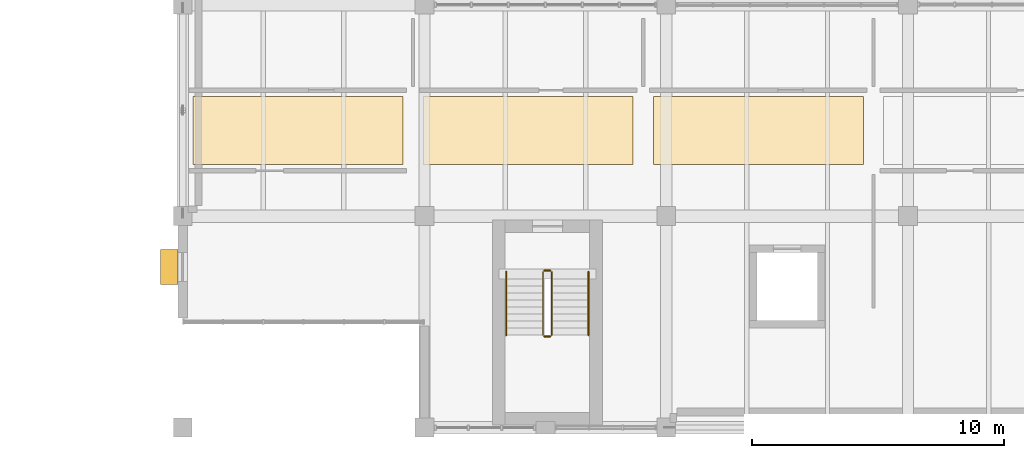
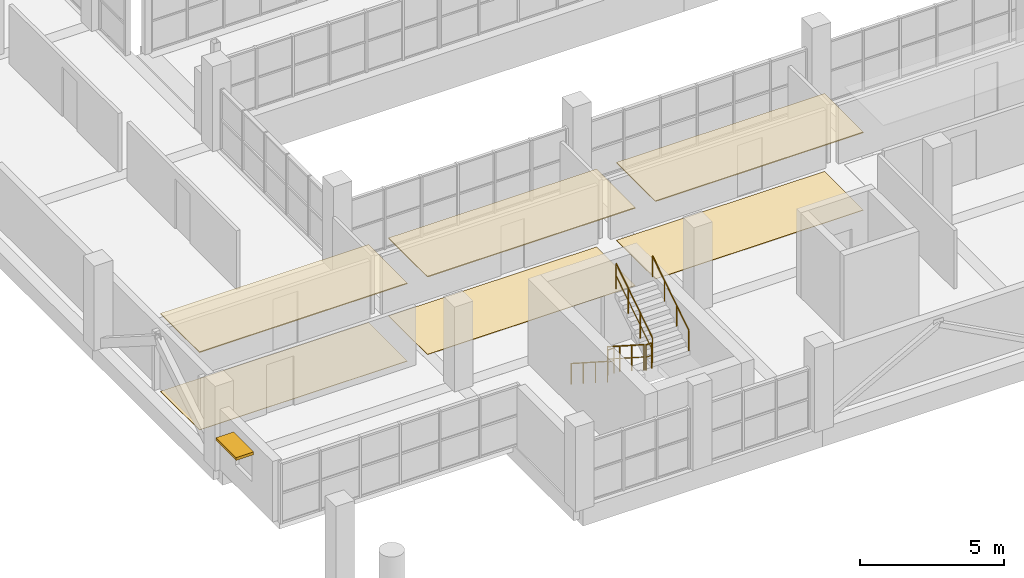
# One storey, part 141 of 147: 6 coverings, 6 railings, 1 shading device.
"""IFC4 building model written with IfcOpenShell, lengths in metres."""

import ifcopenshell
import ifcopenshell.guid

model = None  # the IFC model being written
_history = None  # IfcOwnerHistory: only IFC2X3 demands one
_inside = {}  # id of a spatial element -> (the spatial element, [elements in it])
_under = {}  # id of a project, library or spatial element -> (it, [spatial elements below it])
_declared = {}  # id of a project -> (the project, [libraries it declares])
_typed = {}  # id of a type object -> (the type object, [elements of that type])
_made_of = {}  # id of a material, layer set ... -> (it, [elements and type objects made of it])


def new_model(schema):
    """Start an empty IFC model of exactly this schema.

    Asked for "IFC4X3", IfcOpenShell would pick the latest addendum, in which some entities
    have other attributes; the version numbers below select the first issue.
    IFC2X3 requires an IfcOwnerHistory on every rooted entity: one is made here for all.
    """
    global model, _history
    if schema == "IFC4X3":
        model = ifcopenshell.file(schema_version=(4, 3, 0, 0))
    else:
        model = ifcopenshell.file(schema=schema)
    _inside.clear()
    _under.clear()
    _declared.clear()
    _typed.clear()
    _made_of.clear()
    _history = None
    if model.schema == "IFC2X3":
        org = make("IfcOrganization", Name="unknown")
        user = make(
            "IfcPersonAndOrganization",
            ThePerson=make("IfcPerson", FamilyName="unknown"),
            TheOrganization=org,
        )
        app = make(
            "IfcApplication",
            ApplicationDeveloper=org,
            Version="unknown",
            ApplicationFullName="unknown",
            ApplicationIdentifier="unknown",
        )
        _history = make(
            "IfcOwnerHistory",
            OwningUser=user,
            OwningApplication=app,
            ChangeAction="ADDED",
            CreationDate=0,
        )
    return model


def make(cls, **values):
    """One entity of the class cls with the attributes given. An attribute that is None is left unset."""
    return model.create_entity(
        cls, **{name: value for name, value in values.items() if value is not None}
    )


def rooted(cls, **values):
    """An entity with a GlobalId (a new one), such as an element, a storey or a relation."""
    return make(cls, GlobalId=ifcopenshell.guid.new(), OwnerHistory=_history, **values)


def si_unit(unit_type, name, prefix=None):
    """IfcSIUnit, for example si_unit("LENGTHUNIT", "METRE", prefix="MILLI")."""
    return make("IfcSIUnit", UnitType=unit_type, Prefix=prefix, Name=name)


def assignment(units):
    """IfcUnitAssignment: the units of a project."""
    return None if units is None else make("IfcUnitAssignment", Units=units)


def point(xyz):
    """IfcCartesianPoint."""
    return None if xyz is None else make("IfcCartesianPoint", Coordinates=xyz)


def direction(xyz):
    """IfcDirection."""
    return None if xyz is None else make("IfcDirection", DirectionRatios=xyz)


def frame(location, z_axis=None, x_axis=None):
    """IfcAxis2Placement3D, a coordinate frame: its origin and axes. An axis left out is left unset."""
    return make(
        "IfcAxis2Placement3D",
        Location=point(location),
        Axis=direction(z_axis),
        RefDirection=direction(x_axis),
    )


def frame_2d(location, x_axis=None):
    """IfcAxis2Placement2D, a coordinate frame in the plane: its origin and x axis."""
    return make(
        "IfcAxis2Placement2D", Location=point(location), RefDirection=direction(x_axis)
    )


def origin():
    """The frame at (0, 0, 0) with its axes left unset."""
    return frame((0.0, 0.0, 0.0))


def origin_2d():
    """The frame at (0, 0) in the plane with its x axis left unset."""
    return frame_2d((0.0, 0.0))


def place(relative_to, where):
    """IfcLocalPlacement: puts the frame where relative to a parent placement (None: the world)."""
    return make(
        "IfcLocalPlacement", PlacementRelTo=relative_to, RelativePlacement=where
    )


def context(
    kind, dimensions, precision=None, world=None, true_north=None, identifier=None
):
    """IfcGeometricRepresentationContext, for example the 3D "Model" context."""
    return make(
        "IfcGeometricRepresentationContext",
        ContextIdentifier=identifier,
        ContextType=kind,
        CoordinateSpaceDimension=dimensions,
        Precision=precision,
        WorldCoordinateSystem=world,
        TrueNorth=true_north,
    )


def subcontext(parent, identifier, kind, view, scale=None):
    """IfcGeometricRepresentationSubContext, for example "Body" below "Model"."""
    return make(
        "IfcGeometricRepresentationSubContext",
        ContextIdentifier=identifier,
        ContextType=kind,
        ParentContext=parent,
        TargetScale=scale,
        TargetView=view,
    )


def project(units=None, contexts=None):
    """IfcProject with its units and contexts."""
    return rooted(
        "IfcProject",
        Name="project",
        RepresentationContexts=contexts,
        UnitsInContext=assignment(units),
    )


def spatial(cls, under=None, at=None, **own):
    """A site, building, storey or space (cls), placed at a placement, below another one or the project."""
    s = rooted(cls, ObjectPlacement=at, **own)
    if under is not None:
        _under.setdefault(under.id(), (under, []))[1].append(s)
    return s


def polyline(points):
    """IfcPolyline through the points."""
    return make("IfcPolyline", Points=[point(p) for p in points])


def profile(cls, at=None, kind="AREA", **sizes):
    """A parametric profile (cls). Its sizes go by their IFC names, for example OverallWidth=200.0."""
    return make(cls, ProfileType=kind, Position=at, **sizes)


def rectangle(**sizes):
    """IfcRectangleProfileDef."""
    return profile("IfcRectangleProfileDef", **sizes)


def circle(**sizes):
    """IfcCircleProfileDef."""
    return profile("IfcCircleProfileDef", **sizes)


def outline(outer, holes=None, kind="AREA"):
    """IfcArbitraryClosedProfileDef: a profile drawn as a closed curve; with holes, ...WithVoids."""
    if holes is None:
        return make("IfcArbitraryClosedProfileDef", ProfileType=kind, OuterCurve=outer)
    return make(
        "IfcArbitraryProfileDefWithVoids",
        ProfileType=kind,
        OuterCurve=outer,
        InnerCurves=holes,
    )


def extrude(swept, where, along, depth):
    """IfcExtrudedAreaSolid: the profile swept, set in the frame where, extruded along a direction by depth."""
    return make(
        "IfcExtrudedAreaSolid",
        SweptArea=swept,
        Position=where,
        ExtrudedDirection=direction(along),
        Depth=depth,
    )


def shape(context_of_items, identifier, shape_type, items):
    """IfcShapeRepresentation: the items that make up one representation, for example the "Body"."""
    return make(
        "IfcShapeRepresentation",
        ContextOfItems=context_of_items,
        RepresentationIdentifier=identifier,
        RepresentationType=shape_type,
        Items=items,
    )


def material(Name=None, Category=None):
    """IfcMaterial."""
    return make("IfcMaterial", Name=Name, Category=Category)


def layer(
    of_material, thickness, ventilated=None, Name=None, Category=None, Priority=None
):
    """IfcMaterialLayer: one layer of a wall or slab, of a material (None: an air gap)."""
    return make(
        "IfcMaterialLayer",
        Material=of_material,
        LayerThickness=thickness,
        IsVentilated=ventilated,
        Name=Name,
        Category=Category,
        Priority=Priority,
    )


def layer_set(layers, Name=None):
    """IfcMaterialLayerSet."""
    return make("IfcMaterialLayerSet", MaterialLayers=layers, LayerSetName=Name)


def made_of(thing, what):
    """Note that an element or type object is made of a material, layer set ...; save() writes the relation."""
    if what is not None:
        _made_of.setdefault(what.id(), (what, []))[1].append(thing)
    return thing


def type_object(cls, material=None, **own):
    """A type object (cls), such as IfcWallType, which elements share."""
    return made_of(rooted(cls, **own), material)


def element(
    cls,
    number,
    at=None,
    inside=None,
    cuts=None,
    type_object=None,
    material=None,
    context=None,
    identifier="Body",
    shape_type=None,
    held_by="IfcProductDefinitionShape",
    body=None,
    shapes=None,
    **own,
):
    """One element of the class cls, such as IfcWall. Its Tag is "e" and its number.

    at: its placement. inside: the storey or other place that contains it. cuts: it is an
    opening in that element (IfcRelVoidsElement). A single representation is given by context,
    identifier, shape_type and body (its items); several are given by shapes. held_by: the class
    of the entity that holds the representations. save() writes the other relations.
    """
    e = rooted(cls, Tag="e%d" % number, ObjectPlacement=at, **own)
    if body is not None:
        shapes = [shape(context, identifier, shape_type, body)]
    if shapes is not None:
        e.Representation = make(held_by, Representations=shapes)
    if inside is not None:
        _inside.setdefault(inside.id(), (inside, []))[1].append(e)
    if cuts is not None:
        rooted(
            "IfcRelVoidsElement", RelatingBuildingElement=cuts, RelatedOpeningElement=e
        )
    if type_object is not None:
        _typed.setdefault(type_object.id(), (type_object, []))[1].append(e)
    return made_of(e, material)


def aggregate(whole, parts):
    """IfcRelAggregates: a whole, such as a stair, and the parts it consists of."""
    return rooted("IfcRelAggregates", RelatingObject=whole, RelatedObjects=parts)


def save(model, path):
    """Write the relations noted so far, then the file.

    IfcRelAggregates (storeys below a building ...), IfcRelContainedInSpatialStructure (elements
    in a storey), IfcRelDefinesByType, IfcRelAssociatesMaterial and IfcRelDeclares: one each for
    every whole, place, type object, material and project.
    """
    for whole, parts in _under.values():
        aggregate(whole, parts)
    for where, things in _inside.values():
        rooted(
            "IfcRelContainedInSpatialStructure",
            RelatedElements=things,
            RelatingStructure=where,
        )
    for kind, things in _typed.values():
        rooted("IfcRelDefinesByType", RelatedObjects=things, RelatingType=kind)
    for what, things in _made_of.values():
        rooted("IfcRelAssociatesMaterial", RelatedObjects=things, RelatingMaterial=what)
    for by, libraries in _declared.values():
        rooted("IfcRelDeclares", RelatingContext=by, RelatedDefinitions=libraries)
    model.write(path)


model = new_model("IFC4")

# Units and contexts
model_context = context("Model", 3, precision=1e-05, world=origin(), true_north=direction((0.0, 1.0)))
body_context = subcontext(model_context, "Body", "Model", "MODEL_VIEW")
ifc_project = project(units=[si_unit("LENGTHUNIT", "METRE"), si_unit("AREAUNIT", "SQUARE_METRE"), si_unit("VOLUMEUNIT", "CUBIC_METRE"), si_unit("PLANEANGLEUNIT", "RADIAN"), si_unit("MASSUNIT", "GRAM", prefix="KILO")], contexts=[model_context])

# Site, building, storey
site_placement = place(None, origin())
site = spatial("IfcSite", under=ifc_project, at=site_placement, CompositionType="ELEMENT")
building_placement = place(site_placement, origin())
building = spatial("IfcBuilding", under=site, at=building_placement, Name="Oolite Switchyard Hospital", CompositionType="ELEMENT")
storey_placement = place(building_placement, frame((0.0, 0.0, 9.89990234375)))
storey = spatial("IfcBuildingStorey", under=building, at=storey_placement, Name="L02", CompositionType="ELEMENT", Elevation=9.89990234375)

# Coverings
ifc_material_1 = material(Name="Hygienic washable mineral-fibre acoustic ceiling")
ifc_layer_1 = layer(ifc_material_1, 0.0400390625)
ifc_layer_set_1 = layer_set([ifc_layer_1], Name="COV-CEIL-AC60")
covering_type_1 = type_object("IfcCoveringType", Name="COV-CEIL-AC60", PredefinedType="CEILING", material=ifc_layer_set_1)
covering_1_placement = place(storey_placement, frame((0.0, 0.0, 3.28515625)))
element("IfcCovering", 1, at=covering_1_placement, inside=storey, type_object=covering_type_1, Name="L02 Outpatient Neurology Diagnostic Corridor Ceiling 1", PredefinedType="CEILING", context=body_context, shape_type="SweptSolid", body=[
    extrude(outline(polyline([(134.800048828125, 18.85009765625), (143.14306640625, 18.85009765625), (143.14306640625, 21.550048828125), (134.800048828125, 21.550048828125), (134.800048828125, 18.85009765625)])), origin(), (0.0, 0.0, 1.0), 0.0400390625),
])
covering_2_placement = place(storey_placement, frame((0.0, 0.0, 3.28515625)))
element("IfcCovering", 2, at=covering_2_placement, inside=storey, type_object=covering_type_1, Name="L02 Outpatient Neurology Diagnostic Corridor Ceiling 2", PredefinedType="CEILING", context=body_context, shape_type="SweptSolid", body=[
    extrude(outline(polyline([(143.943115234375, 18.85009765625), (152.285888671875, 18.85009765625), (152.285888671875, 21.550048828125), (143.943115234375, 21.550048828125), (143.943115234375, 18.85009765625)])), origin(), (0.0, 0.0, 1.0), 0.0400390625),
])
covering_3_placement = place(storey_placement, frame((0.0, 0.0, 3.28515625)))
element("IfcCovering", 3, at=covering_3_placement, inside=storey, type_object=covering_type_1, Name="L02 Outpatient Neurology Diagnostic Corridor Ceiling 3", PredefinedType="CEILING", context=body_context, shape_type="SweptSolid", body=[
    extrude(outline(polyline([(153.0859375, 18.85009765625), (161.428955078125, 18.85009765625), (161.428955078125, 21.550048828125), (153.0859375, 21.550048828125), (153.0859375, 18.85009765625)])), origin(), (0.0, 0.0, 1.0), 0.0400390625),
])
ifc_material_2 = material(Name="Epoxy terrazzo seamless clinical flooring")
ifc_layer_2 = layer(ifc_material_2, 0.02001953125)
ifc_layer_set_2 = layer_set([ifc_layer_2], Name="COV-FLR-TER20")
covering_type_2 = type_object("IfcCoveringType", Name="COV-FLR-TER20", PredefinedType="FLOORING", material=ifc_layer_set_2)
covering_4_placement = place(storey_placement, origin())
element("IfcCovering", 4, at=covering_4_placement, inside=storey, type_object=covering_type_2, Name="L02 Outpatient Neurology Diagnostic Corridor Flooring 1", PredefinedType="FLOORING", context=body_context, shape_type="SweptSolid", body=[
    extrude(outline(polyline([(134.800048828125, 18.85009765625), (143.14306640625, 18.85009765625), (143.14306640625, 21.550048828125), (134.800048828125, 21.550048828125), (134.800048828125, 18.85009765625)])), origin(), (0.0, 0.0, 1.0), 0.02001953125),
])
covering_5_placement = place(storey_placement, origin())
element("IfcCovering", 5, at=covering_5_placement, inside=storey, type_object=covering_type_2, Name="L02 Outpatient Neurology Diagnostic Corridor Flooring 2", PredefinedType="FLOORING", context=body_context, shape_type="SweptSolid", body=[
    extrude(outline(polyline([(143.943115234375, 18.85009765625), (152.285888671875, 18.85009765625), (152.285888671875, 21.550048828125), (143.943115234375, 21.550048828125), (143.943115234375, 18.85009765625)])), origin(), (0.0, 0.0, 1.0), 0.02001953125),
])
covering_6_placement = place(storey_placement, origin())
element("IfcCovering", 6, at=covering_6_placement, inside=storey, type_object=covering_type_2, Name="L02 Outpatient Neurology Diagnostic Corridor Flooring 3", PredefinedType="FLOORING", context=body_context, shape_type="SweptSolid", body=[
    extrude(outline(polyline([(153.0859375, 18.85009765625), (161.428955078125, 18.85009765625), (161.428955078125, 21.550048828125), (153.0859375, 21.550048828125), (153.0859375, 18.85009765625)])), origin(), (0.0, 0.0, 1.0), 0.02001953125),
])

# Railings
ifc_material_3 = material(Name="Galvanized painted architectural steel handrail", Category="steel")
railing_type_1 = type_object("IfcRailingType", Name="RL-STAIR-GRD", PredefinedType="GUARDRAIL", material=ifc_material_3)
railing_1_placement = place(storey_placement, frame((148.7099609375, 14.590087890625, 0.18017578125)))
element("IfcRailing", 7, at=railing_1_placement, inside=storey, type_object=railing_type_1, Name="L02 ST-05 stair guard 1", PredefinedType="GUARDRAIL", context=body_context, shape_type="SweptSolid", body=[
    extrude(circle(Radius=0.02392578125, at=origin_2d()), frame((0.0, 0.0, 1.076171875), z_axis=(0.0, -0.841199657755, 0.540724639528), x_axis=(1.0, 0.0, 0.0)), (0.0, 0.0, 1.0), 2.995849609375),
    extrude(circle(Radius=0.015625, at=origin_2d()), frame((0.0, 0.0, 0.550048828125), z_axis=(0.0, -0.841199657755, 0.540724639528), x_axis=(1.0, 0.0, 0.0)), (0.0, 0.0, 1.0), 2.995849609375),
    extrude(circle(Radius=0.02099609375, at=origin_2d()), origin(), (0.0, 0.0, 1.0), 1.052001953125),
    extrude(circle(Radius=0.02099609375, at=origin_2d()), frame((0.0, -0.840087890625, 0.5400390625)), (0.0, 0.0, 1.0), 1.052001953125),
    extrude(circle(Radius=0.02099609375, at=origin_2d()), frame((0.0, -1.679931640625, 1.079833984375)), (0.0, 0.0, 1.0), 1.052001953125),
    extrude(circle(Radius=0.02099609375, at=origin_2d()), frame((0.0, -2.52001953125, 1.619873046875)), (0.0, 0.0, 1.0), 1.052001953125),
])
railing_2_placement = place(storey_placement, frame((148.760009765625, 12.02001953125, 1.800048828125)))
element("IfcRailing", 8, at=railing_2_placement, inside=storey, type_object=railing_type_1, Name="L02 ST-05 stair guard 2", PredefinedType="GUARDRAIL", context=body_context, shape_type="SweptSolid", body=[
    extrude(circle(Radius=0.02392578125, at=origin_2d()), frame((0.0, 0.0, 1.076171875), z_axis=(1.0, 0.0, 0.0), x_axis=(0.0, 1.0, 0.0)), (0.0, 0.0, 1.0), 0.239990234375),
    extrude(circle(Radius=0.015625, at=origin_2d()), frame((0.0, 0.0, 0.550048828125), z_axis=(1.0, 0.0, 0.0), x_axis=(0.0, 1.0, 0.0)), (0.0, 0.0, 1.0), 0.239990234375),
    extrude(circle(Radius=0.02099609375, at=origin_2d()), origin(), (0.0, 0.0, 1.0), 1.052001953125),
    extrude(circle(Radius=0.02099609375, at=origin_2d()), frame((0.239990234375, 0.0, 0.0)), (0.0, 0.0, 1.0), 1.052001953125),
])
railing_3_placement = place(storey_placement, frame((149.050048828125, 12.070068359375, 1.97998046875)))
element("IfcRailing", 9, at=railing_3_placement, inside=storey, type_object=railing_type_1, Name="L02 ST-05 stair guard 3", PredefinedType="GUARDRAIL", context=body_context, shape_type="SweptSolid", body=[
    extrude(circle(Radius=0.02392578125, at=origin_2d()), frame((0.0, 0.0, 1.076171875), z_axis=(0.0, 0.841162588446, 0.540782303519), x_axis=(-1.0, 0.0, 0.0)), (0.0, 0.0, 1.0), 2.995849609375),
    extrude(circle(Radius=0.015625, at=origin_2d()), frame((0.0, 0.0, 0.550048828125), z_axis=(0.0, 0.841162588446, 0.540782303519), x_axis=(-1.0, 0.0, 0.0)), (0.0, 0.0, 1.0), 2.995849609375),
    extrude(circle(Radius=0.02099609375, at=origin_2d()), origin(), (0.0, 0.0, 1.0), 1.052001953125),
    extrude(circle(Radius=0.02099609375, at=origin_2d()), frame((0.0, 0.840087890625, 0.5400390625)), (0.0, 0.0, 1.0), 1.052001953125),
    extrude(circle(Radius=0.02099609375, at=origin_2d()), frame((0.0, 1.679931640625, 1.080078125)), (0.0, 0.0, 1.0), 1.052001953125),
    extrude(circle(Radius=0.02099609375, at=origin_2d()), frame((0.0, 2.52001953125, 1.6201171875)), (0.0, 0.0, 1.0), 1.052001953125),
])
railing_4_placement = place(storey_placement, frame((148.760009765625, 14.639892578125, 0.0)))
element("IfcRailing", 10, at=railing_4_placement, inside=storey, type_object=railing_type_1, Name="L02 ST-05 stair guard 4", PredefinedType="GUARDRAIL", context=body_context, shape_type="SweptSolid", body=[
    extrude(circle(Radius=0.02392578125, at=origin_2d()), frame((0.0, 0.0, 1.076171875), z_axis=(1.0, 0.0, 0.0), x_axis=(0.0, 1.0, 0.0)), (0.0, 0.0, 1.0), 0.239990234375),
    extrude(circle(Radius=0.015625, at=origin_2d()), frame((0.0, 0.0, 0.550048828125), z_axis=(1.0, 0.0, 0.0), x_axis=(0.0, 1.0, 0.0)), (0.0, 0.0, 1.0), 0.239990234375),
    extrude(circle(Radius=0.02099609375, at=origin_2d()), origin(), (0.0, 0.0, 1.0), 1.052001953125),
    extrude(circle(Radius=0.02099609375, at=origin_2d()), frame((0.239990234375, 0.0, 0.0)), (0.0, 0.0, 1.0), 1.052001953125),
])
railing_type_2 = type_object("IfcRailingType", Name="RL-STAIR-HND", PredefinedType="HANDRAIL", material=ifc_material_3)
railing_5_placement = place(storey_placement, frame((147.25, 14.590087890625, 0.18017578125)))
element("IfcRailing", 11, at=railing_5_placement, inside=storey, type_object=railing_type_2, Name="L02 ST-05 stair handrail 1", PredefinedType="HANDRAIL", context=body_context, shape_type="SweptSolid", body=[
    extrude(circle(Radius=0.02392578125, at=origin_2d()), frame((0.0, 0.0, 0.8759765625), z_axis=(0.0, -0.841199657755, 0.540724639528), x_axis=(1.0, 0.0, 0.0)), (0.0, 0.0, 1.0), 2.995849609375),
    extrude(circle(Radius=0.02099609375, at=origin_2d()), origin(), (0.0, 0.0, 1.0), 0.851806640625),
    extrude(circle(Radius=0.02099609375, at=origin_2d()), frame((0.0, -0.840087890625, 0.5400390625)), (0.0, 0.0, 1.0), 0.851806640625),
    extrude(circle(Radius=0.02099609375, at=origin_2d()), frame((0.0, -1.679931640625, 1.079833984375)), (0.0, 0.0, 1.0), 0.851806640625),
    extrude(circle(Radius=0.02099609375, at=origin_2d()), frame((0.0, -2.52001953125, 1.619873046875)), (0.0, 0.0, 1.0), 0.851806640625),
])
railing_6_placement = place(storey_placement, frame((150.510009765625, 12.070068359375, 1.97998046875)))
element("IfcRailing", 12, at=railing_6_placement, inside=storey, type_object=railing_type_2, Name="L02 ST-05 stair handrail 2", PredefinedType="HANDRAIL", context=body_context, shape_type="SweptSolid", body=[
    extrude(circle(Radius=0.02392578125, at=origin_2d()), frame((0.0, 0.0, 0.8759765625), z_axis=(0.0, 0.841162588446, 0.540782303519), x_axis=(-1.0, 0.0, 0.0)), (0.0, 0.0, 1.0), 2.995849609375),
    extrude(circle(Radius=0.02099609375, at=origin_2d()), origin(), (0.0, 0.0, 1.0), 0.851806640625),
    extrude(circle(Radius=0.02099609375, at=origin_2d()), frame((0.0, 0.840087890625, 0.5400390625)), (0.0, 0.0, 1.0), 0.851806640625),
    extrude(circle(Radius=0.02099609375, at=origin_2d()), frame((0.0, 1.679931640625, 1.080078125)), (0.0, 0.0, 1.0), 0.851806640625),
    extrude(circle(Radius=0.02099609375, at=origin_2d()), frame((0.0, 2.52001953125, 1.6201171875)), (0.0, 0.0, 1.0), 0.851806640625),
])

# Shading device
ifc_material_4 = material(Name="Precast oolitic limestone architectural concrete C40/50", Category="masonry")
ifc_layer_3 = layer(ifc_material_4, 0.1201171875)
ifc_layer_set_3 = layer_set([ifc_layer_3], Name="SHD-BRISE-900")
shading_device_type = type_object("IfcShadingDeviceType", Name="SHD-BRISE-900", PredefinedType="AWNING", material=ifc_layer_set_3)
shading_device_placement = place(storey_placement, frame((133.8701171875, 14.780029296875, 2.06005859375), z_axis=(0.0, 0.0, 1.0), x_axis=(0.0, 1.0, 0.0)))
element("IfcShadingDevice", 13, at=shading_device_placement, inside=storey, type_object=shading_device_type, Name="L02 Classical Brise-Soleil Sunshade 36", PredefinedType="AWNING", context=body_context, shape_type="SweptSolid", body=[
    extrude(rectangle(XDim=1.389892578125, YDim=0.699951171875, at=origin_2d()), origin(), (0.0, 0.0, 1.0), 0.1201171875),
])

save(model, "model.ifc")
